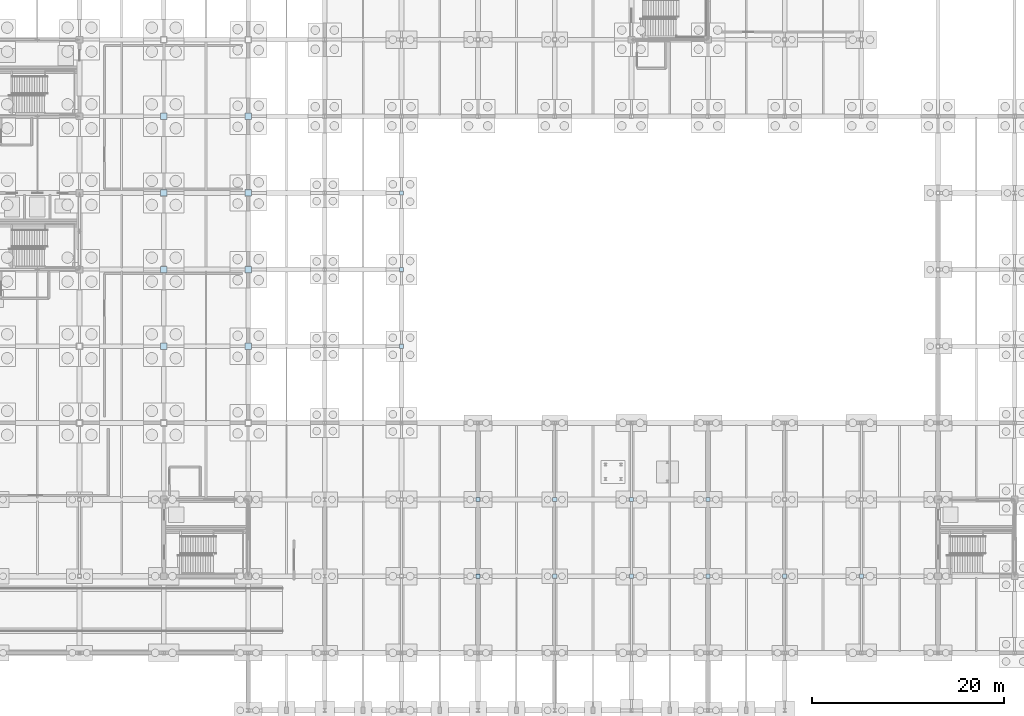
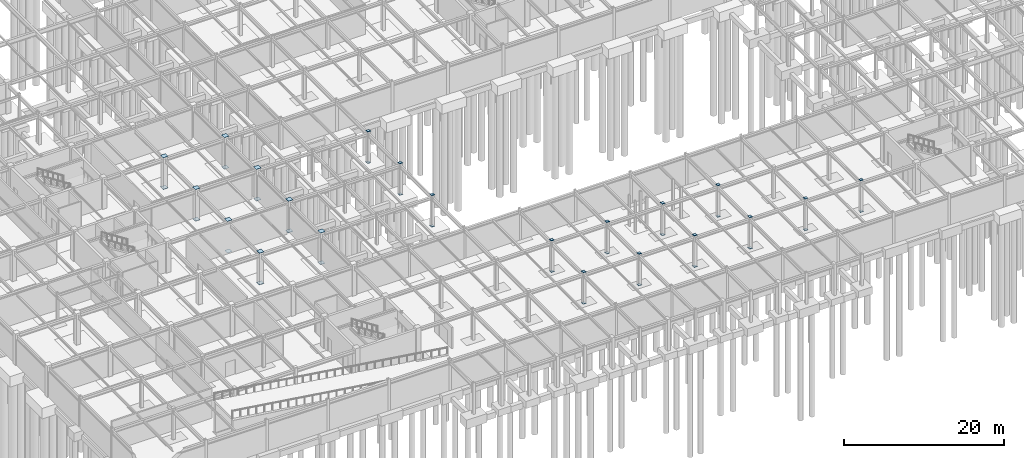
# One storey, part 49 of 72: 44 plates.
"""IFC4 building model written with IfcOpenShell, lengths in metres."""

from ifc_helpers import new_model, si_unit, direction, frame, origin, origin_2d, place, context, subcontext, project, spatial, rectangle, extrude, material, layer, layer_set, type_object, element, save


model = new_model("IFC4")

# Units and contexts
model_context = context("Model", 3, precision=1e-05, world=origin(), true_north=direction((0.0, 1.0)))
body_context = subcontext(model_context, "Body", "Model", "MODEL_VIEW")
ifc_project = project(units=[si_unit("LENGTHUNIT", "METRE"), si_unit("AREAUNIT", "SQUARE_METRE"), si_unit("VOLUMEUNIT", "CUBIC_METRE"), si_unit("PLANEANGLEUNIT", "RADIAN"), si_unit("MASSUNIT", "GRAM", prefix="KILO")], contexts=[model_context])

# Site, building, storey
site_placement = place(None, origin())
site = spatial("IfcSite", under=ifc_project, at=site_placement, CompositionType="ELEMENT")
building_placement = place(site_placement, origin())
building = spatial("IfcBuilding", under=site, at=building_placement, Name="Zhaolan Boulevard Law Courts", CompositionType="ELEMENT")
storey_placement = place(building_placement, frame((0.0, 0.0, -4.800048828125)))
storey = spatial("IfcBuildingStorey", under=building, at=storey_placement, Name="B1", CompositionType="ELEMENT", Elevation=-4.800048828125)

# Plates
ifc_material = material(Name="Structural steel Q355B", Category="steel")
ifc_layer = layer(ifc_material, 0.02001953125)
ifc_layer_set = layer_set([ifc_layer])
plate_type = type_object("IfcPlateType", Name="END CAP PLATE 20", PredefinedType="SHEET", material=ifc_layer_set)
for number, where, z_axis, x_axis, name in (
    (1, (68.0, 14.0, 4.780029296875), (0.0, 0.0, 1.0), (1.0, 0.0, 0.0), "Hollow Column Top End-Cap Plate ECP-9C"),
    (2, (68.0, 22.0, 4.780029296875), (0.0, 0.0, 1.0), (1.0, 0.0, 0.0), "Hollow Column Top End-Cap Plate ECP-9D"),
):
    element("IfcPlate", number, at=place(storey_placement, frame(where, z_axis=z_axis, x_axis=x_axis)), inside=storey, type_object=plate_type, Name=name, PredefinedType="SHEET", context=body_context, shape_type="SweptSolid", body=[
        extrude(rectangle(XDim=0.39990234375, YDim=0.39990234375, at=origin_2d()), origin(), (0.0, 0.0, 1.0), 0.02001953125),
    ])
for number, where, z_axis, x_axis, name in (
    (3, (35.199951171875, 38.0, -0.01806640625), (0.0, 0.0, 1.0), (1.0, 0.0, 0.0), "Hollow Section End-Cap Plate ECP-0377"),
    (4, (35.199951171875, 38.0, 4.798095703125), (0.0, 0.0, 1.0), (1.0, 0.0, 0.0), "Hollow Section End-Cap Plate ECP-0378"),
    (5, (35.199951171875, 46.0, -0.01806640625), (0.0, 0.0, 1.0), (1.0, 0.0, 0.0), "Hollow Section End-Cap Plate ECP-0399"),
    (6, (35.199951171875, 46.0, 4.798095703125), (0.0, 0.0, 1.0), (1.0, 0.0, 0.0), "Hollow Section End-Cap Plate ECP-0400"),
    (7, (35.199951171875, 54.0, -0.01806640625), (0.0, 0.0, 1.0), (1.0, 0.0, 0.0), "Hollow Section End-Cap Plate ECP-0421"),
    (8, (35.199951171875, 54.0, 4.798095703125), (0.0, 0.0, 1.0), (1.0, 0.0, 0.0), "Hollow Section End-Cap Plate ECP-0422"),
    (9, (35.199951171875, 62.0, -0.01806640625), (0.0, 0.0, 1.0), (1.0, 0.0, 0.0), "Hollow Section End-Cap Plate ECP-0443"),
    (10, (35.199951171875, 62.0, 4.798095703125), (0.0, 0.0, 1.0), (1.0, 0.0, 0.0), "Hollow Section End-Cap Plate ECP-0444"),
    (11, (44.0, 38.0, -0.01806640625), (0.0, 0.0, 1.0), (1.0, 0.0, 0.0), "Hollow Section End-Cap Plate ECP-0505"),
    (12, (44.0, 38.0, 4.798095703125), (0.0, 0.0, 1.0), (1.0, 0.0, 0.0), "Hollow Section End-Cap Plate ECP-0506"),
    (13, (44.0, 46.0, -0.01806640625), (0.0, 0.0, 1.0), (1.0, 0.0, 0.0), "Hollow Section End-Cap Plate ECP-0523"),
    (14, (44.0, 46.0, 4.798095703125), (0.0, 0.0, 1.0), (1.0, 0.0, 0.0), "Hollow Section End-Cap Plate ECP-0524"),
    (15, (44.0, 54.0, -0.01806640625), (0.0, 0.0, 1.0), (1.0, 0.0, 0.0), "Hollow Section End-Cap Plate ECP-0541"),
    (16, (44.0, 54.0, 4.798095703125), (0.0, 0.0, 1.0), (1.0, 0.0, 0.0), "Hollow Section End-Cap Plate ECP-0542"),
    (17, (44.0, 62.0, -0.01806640625), (0.0, 0.0, 1.0), (1.0, 0.0, 0.0), "Hollow Section End-Cap Plate ECP-0559"),
    (18, (44.0, 62.0, 4.798095703125), (0.0, 0.0, 1.0), (1.0, 0.0, 0.0), "Hollow Section End-Cap Plate ECP-0560"),
):
    element("IfcPlate", number, at=place(storey_placement, frame(where, z_axis=z_axis, x_axis=x_axis)), inside=storey, type_object=plate_type, Name=name, PredefinedType="SHEET", context=body_context, shape_type="SweptSolid", body=[
        extrude(rectangle(XDim=0.679931640625, YDim=0.679931640625, at=origin_2d()), origin(), (0.0, 0.0, 1.0), 0.02001953125),
    ])
for number, where, z_axis, x_axis, name in (
    (19, (60.0, 38.0, -0.01806640625), (0.0, 0.0, 1.0), (1.0, 0.0, 0.0), "Hollow Section End-Cap Plate ECP-0599"),
    (20, (60.0, 38.0, 4.798095703125), (0.0, 0.0, 1.0), (1.0, 0.0, 0.0), "Hollow Section End-Cap Plate ECP-0600"),
    (21, (60.0, 46.0, -0.01806640625), (0.0, 0.0, 1.0), (1.0, 0.0, 0.0), "Hollow Section End-Cap Plate ECP-0601"),
    (22, (60.0, 46.0, 4.798095703125), (0.0, 0.0, 1.0), (1.0, 0.0, 0.0), "Hollow Section End-Cap Plate ECP-0602"),
    (23, (60.0, 54.0, -0.01806640625), (0.0, 0.0, 1.0), (1.0, 0.0, 0.0), "Hollow Section End-Cap Plate ECP-0603"),
    (24, (60.0, 54.0, 4.798095703125), (0.0, 0.0, 1.0), (1.0, 0.0, 0.0), "Hollow Section End-Cap Plate ECP-0604"),
    (25, (68.0, 14.0, -0.01806640625), (0.0, 0.0, 1.0), (1.0, 0.0, 0.0), "Hollow Section End-Cap Plate ECP-0609"),
    (26, (68.0, 14.0, 4.798095703125), (0.0, 0.0, 1.0), (1.0, 0.0, 0.0), "Hollow Section End-Cap Plate ECP-0610"),
    (27, (68.0, 22.0, -0.01806640625), (0.0, 0.0, 1.0), (1.0, 0.0, 0.0), "Hollow Section End-Cap Plate ECP-0611"),
    (28, (68.0, 22.0, 4.798095703125), (0.0, 0.0, 1.0), (1.0, 0.0, 0.0), "Hollow Section End-Cap Plate ECP-0612"),
    (29, (76.0, 14.0, -0.01806640625), (0.0, 0.0, 1.0), (1.0, 0.0, 0.0), "Hollow Section End-Cap Plate ECP-0617"),
    (30, (76.0, 14.0, 4.798095703125), (0.0, 0.0, 1.0), (1.0, 0.0, 0.0), "Hollow Section End-Cap Plate ECP-0618"),
    (31, (76.0, 22.0, -0.01806640625), (0.0, 0.0, 1.0), (1.0, 0.0, 0.0), "Hollow Section End-Cap Plate ECP-0619"),
    (32, (76.0, 22.0, 4.798095703125), (0.0, 0.0, 1.0), (1.0, 0.0, 0.0), "Hollow Section End-Cap Plate ECP-0620"),
    (33, (84.0, 14.0, -0.01806640625), (0.0, 0.0, 1.0), (1.0, 0.0, 0.0), "Hollow Section End-Cap Plate ECP-0623"),
    (34, (84.0, 14.0, 4.798095703125), (0.0, 0.0, 1.0), (1.0, 0.0, 0.0), "Hollow Section End-Cap Plate ECP-0624"),
    (35, (84.0, 22.0, -0.01806640625), (0.0, 0.0, 1.0), (1.0, 0.0, 0.0), "Hollow Section End-Cap Plate ECP-0625"),
    (36, (84.0, 22.0, 4.798095703125), (0.0, 0.0, 1.0), (1.0, 0.0, 0.0), "Hollow Section End-Cap Plate ECP-0626"),
    (37, (92.0, 14.0, -0.01806640625), (0.0, 0.0, 1.0), (1.0, 0.0, 0.0), "Hollow Section End-Cap Plate ECP-0627"),
    (38, (92.0, 14.0, 4.798095703125), (0.0, 0.0, 1.0), (1.0, 0.0, 0.0), "Hollow Section End-Cap Plate ECP-0628"),
    (39, (92.0, 22.0, -0.01806640625), (0.0, 0.0, 1.0), (1.0, 0.0, 0.0), "Hollow Section End-Cap Plate ECP-0629"),
    (40, (92.0, 22.0, 4.798095703125), (0.0, 0.0, 1.0), (1.0, 0.0, 0.0), "Hollow Section End-Cap Plate ECP-0630"),
    (41, (100.0, 14.0, -0.01806640625), (0.0, 0.0, 1.0), (1.0, 0.0, 0.0), "Hollow Section End-Cap Plate ECP-0633"),
    (42, (100.0, 14.0, 4.798095703125), (0.0, 0.0, 1.0), (1.0, 0.0, 0.0), "Hollow Section End-Cap Plate ECP-0634"),
    (43, (108.0, 14.0, -0.01806640625), (0.0, 0.0, 1.0), (1.0, 0.0, 0.0), "Hollow Section End-Cap Plate ECP-0641"),
    (44, (108.0, 14.0, 4.798095703125), (0.0, 0.0, 1.0), (1.0, 0.0, 0.0), "Hollow Section End-Cap Plate ECP-0642"),
):
    element("IfcPlate", number, at=place(storey_placement, frame(where, z_axis=z_axis, x_axis=x_axis)), inside=storey, type_object=plate_type, Name=name, PredefinedType="SHEET", context=body_context, shape_type="SweptSolid", body=[
        extrude(rectangle(XDim=0.429931640625, YDim=0.429931640625, at=origin_2d()), origin(), (0.0, 0.0, 1.0), 0.02001953125),
    ])

save(model, "model.ifc")
